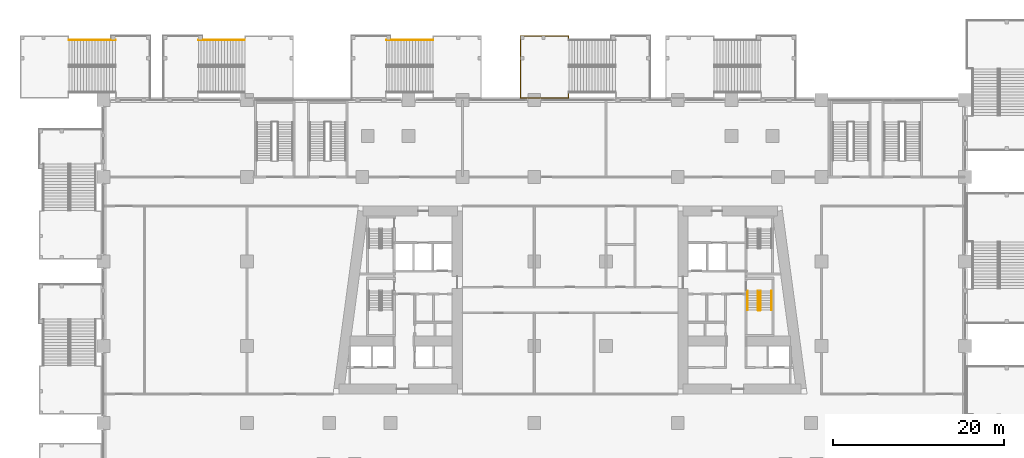
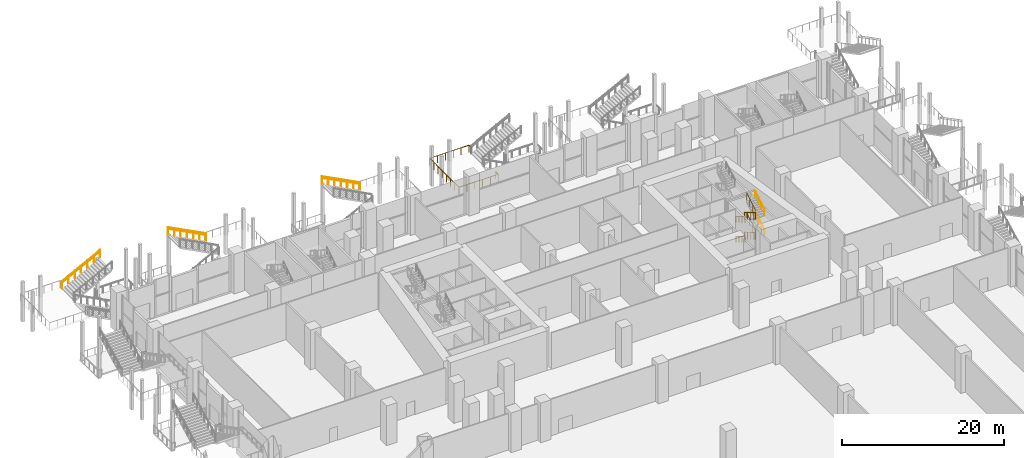
# One storey, part 43 of 49: 13 railings.
"""IFC4 building model written with IfcOpenShell, lengths in metres."""

from ifc_helpers import new_model, si_unit, direction, frame, origin, origin_2d, place, context, subcontext, project, spatial, circle, extrude, material, type_object, element, save


model = new_model("IFC4")

# Units and contexts
model_context = context("Model", 3, precision=1e-05, world=origin(), true_north=direction((0.0, 1.0)))
body_context = subcontext(model_context, "Body", "Model", "MODEL_VIEW")
ifc_project = project(units=[si_unit("LENGTHUNIT", "METRE"), si_unit("AREAUNIT", "SQUARE_METRE"), si_unit("VOLUMEUNIT", "CUBIC_METRE"), si_unit("PLANEANGLEUNIT", "RADIAN"), si_unit("MASSUNIT", "GRAM", prefix="KILO")], contexts=[model_context])

# Site, building, storey
site_placement = place(None, origin())
site = spatial("IfcSite", under=ifc_project, at=site_placement, CompositionType="ELEMENT")
building_placement = place(site_placement, origin())
building = spatial("IfcBuilding", under=site, at=building_placement, Name="Candeia Pilgrim Tower and Theatre", CompositionType="ELEMENT")
storey_placement = place(building_placement, frame((0.0, 0.0, 17.0)))
storey = spatial("IfcBuildingStorey", under=building, at=storey_placement, Name="L02", CompositionType="ELEMENT", Elevation=17.0)

# Railings
ifc_material_1 = material(Name="Stainless steel balustrade", Category="steel")
railing_type_1 = type_object("IfcRailingType", Name="RL-GUARD-1100", PredefinedType="GUARDRAIL", material=ifc_material_1)
railing_1_placement = place(storey_placement, frame((135.39794921875, 122.47509765625, 0.166748046875)))
element("IfcRailing", 1, at=railing_1_placement, inside=storey, type_object=railing_type_1, Name="L02 ST3 stair guard 1", PredefinedType="GUARDRAIL", context=body_context, shape_type="SweptSolid", body=[
    extrude(circle(Radius=0.02392578125, at=origin_2d()), frame((0.0, 0.0, 1.076171875), z_axis=(0.0, -0.859305625298, 0.511462454469), x_axis=(1.0, 0.0, 0.0)), (0.0, 0.0, 1.0), 2.606689453125),
    extrude(circle(Radius=0.02392578125, at=origin_2d()), frame((0.0, -2.239990234375, 2.4091796875), z_axis=(0.707106781187, -0.707106781187, 0.0), x_axis=(0.707106781187, 0.707106781187, 0.0)), (0.0, 0.0, 1.0), 0.07080078125),
    extrude(circle(Radius=0.02392578125, at=origin_2d()), frame((0.050048828125, -2.2900390625, 2.4091796875), z_axis=(1.0, 0.0, 0.0), x_axis=(0.0, 1.0, 0.0)), (0.0, 0.0, 1.0), 0.199951171875),
    extrude(circle(Radius=0.02392578125, at=origin_2d()), frame((0.25, -2.2900390625, 2.4091796875), z_axis=(0.27628659633, 0.27628659633, 0.920506074601), x_axis=(-0.707106781187, 0.707106781187, 0.0)), (0.0, 0.0, 1.0), 0.18115234375),
    extrude(circle(Radius=0.02392578125, at=origin_2d()), frame((0.300048828125, -2.239990234375, 2.576171875), z_axis=(0.0, 0.859305625298, 0.511462454469), x_axis=(-1.0, 0.0, 0.0)), (0.0, 0.0, 1.0), 2.606689453125),
    extrude(circle(Radius=0.02099609375, at=origin_2d()), origin(), (0.0, 0.0, 1.0), 1.052001953125),
    extrude(circle(Radius=0.02099609375, at=origin_2d()), frame((0.0, -0.74658203125, 0.4443359375)), (0.0, 0.0, 1.0), 1.052001953125),
    extrude(circle(Radius=0.02099609375, at=origin_2d()), frame((0.0, -1.493408203125, 0.888916015625)), (0.0, 0.0, 1.0), 1.052001953125),
    extrude(circle(Radius=0.02099609375, at=origin_2d()), frame((0.0, -2.239990234375, 1.333251953125)), (0.0, 0.0, 1.0), 1.052001953125),
    extrude(circle(Radius=0.02099609375, at=origin_2d()), frame((0.050048828125, -2.2900390625, 1.333251953125)), (0.0, 0.0, 1.0), 1.052001953125),
    extrude(circle(Radius=0.02099609375, at=origin_2d()), frame((0.25, -2.2900390625, 1.333251953125)), (0.0, 0.0, 1.0), 1.052001953125),
    extrude(circle(Radius=0.02099609375, at=origin_2d()), frame((0.300048828125, -2.239990234375, 1.5)), (0.0, 0.0, 1.0), 1.052001953125),
    extrude(circle(Radius=0.02099609375, at=origin_2d()), frame((0.300048828125, -1.493408203125, 1.9443359375)), (0.0, 0.0, 1.0), 1.052001953125),
    extrude(circle(Radius=0.02099609375, at=origin_2d()), frame((0.300048828125, -0.74658203125, 2.388916015625)), (0.0, 0.0, 1.0), 1.052001953125),
    extrude(circle(Radius=0.02099609375, at=origin_2d()), frame((0.300048828125, 0.0, 2.833251953125)), (0.0, 0.0, 1.0), 1.052001953125),
])
railing_2_placement = place(storey_placement, frame((135.39794921875, 122.47509765625, 3.166748046875)))
element("IfcRailing", 2, at=railing_2_placement, inside=storey, type_object=railing_type_1, Name="L02 ST3 stair guard 3", PredefinedType="GUARDRAIL", context=body_context, shape_type="SweptSolid", body=[
    extrude(circle(Radius=0.02392578125, at=origin_2d()), frame((0.0, 0.0, 1.076171875), z_axis=(0.0, -0.859305625298, 0.511462454469), x_axis=(1.0, 0.0, 0.0)), (0.0, 0.0, 1.0), 2.606689453125),
    extrude(circle(Radius=0.02392578125, at=origin_2d()), frame((0.0, -2.239990234375, 2.4091796875), z_axis=(0.707106781187, -0.707106781187, 0.0), x_axis=(0.707106781187, 0.707106781187, 0.0)), (0.0, 0.0, 1.0), 0.07080078125),
    extrude(circle(Radius=0.02392578125, at=origin_2d()), frame((0.050048828125, -2.2900390625, 2.4091796875), z_axis=(1.0, 0.0, 0.0), x_axis=(0.0, 1.0, 0.0)), (0.0, 0.0, 1.0), 0.199951171875),
    extrude(circle(Radius=0.02392578125, at=origin_2d()), frame((0.25, -2.2900390625, 2.4091796875), z_axis=(0.27628659633, 0.27628659633, 0.920506074601), x_axis=(-0.707106781187, 0.707106781187, 0.0)), (0.0, 0.0, 1.0), 0.18115234375),
    extrude(circle(Radius=0.02392578125, at=origin_2d()), frame((0.300048828125, -2.239990234375, 2.576171875), z_axis=(0.0, 0.859305625298, 0.511462454469), x_axis=(-1.0, 0.0, 0.0)), (0.0, 0.0, 1.0), 2.606689453125),
    extrude(circle(Radius=0.02099609375, at=origin_2d()), origin(), (0.0, 0.0, 1.0), 1.052001953125),
    extrude(circle(Radius=0.02099609375, at=origin_2d()), frame((0.0, -0.74658203125, 0.4443359375)), (0.0, 0.0, 1.0), 1.052001953125),
    extrude(circle(Radius=0.02099609375, at=origin_2d()), frame((0.0, -1.493408203125, 0.888916015625)), (0.0, 0.0, 1.0), 1.052001953125),
    extrude(circle(Radius=0.02099609375, at=origin_2d()), frame((0.0, -2.239990234375, 1.333251953125)), (0.0, 0.0, 1.0), 1.052001953125),
    extrude(circle(Radius=0.02099609375, at=origin_2d()), frame((0.050048828125, -2.2900390625, 1.333251953125)), (0.0, 0.0, 1.0), 1.052001953125),
    extrude(circle(Radius=0.02099609375, at=origin_2d()), frame((0.25, -2.2900390625, 1.333251953125)), (0.0, 0.0, 1.0), 1.052001953125),
    extrude(circle(Radius=0.02099609375, at=origin_2d()), frame((0.300048828125, -2.239990234375, 1.5)), (0.0, 0.0, 1.0), 1.052001953125),
    extrude(circle(Radius=0.02099609375, at=origin_2d()), frame((0.300048828125, -1.493408203125, 1.9443359375)), (0.0, 0.0, 1.0), 1.052001953125),
    extrude(circle(Radius=0.02099609375, at=origin_2d()), frame((0.300048828125, -0.74658203125, 2.388916015625)), (0.0, 0.0, 1.0), 1.052001953125),
    extrude(circle(Radius=0.02099609375, at=origin_2d()), frame((0.300048828125, 0.0, 2.833251953125)), (0.0, 0.0, 1.0), 1.052001953125),
])
railing_3_placement = place(storey_placement, frame((54.760009765625, 151.85009765625, 3.176513671875)))
element("IfcRailing", 3, at=railing_3_placement, inside=storey, type_object=railing_type_1, Name="L02 ES3 stair guard 4", PredefinedType="GUARDRAIL", context=body_context, shape_type="SweptSolid", body=[
    extrude(circle(Radius=0.02392578125, at=origin_2d()), frame((0.0, 0.0, 1.076171875), z_axis=(0.887569374008, 0.0, 0.460674078198), x_axis=(0.0, 1.0, 0.0)), (0.0, 0.0, 1.0), 6.129150390625),
    extrude(circle(Radius=0.02099609375, at=origin_2d()), origin(), (0.0, 0.0, 1.0), 1.052001953125),
    extrude(circle(Radius=0.02099609375, at=origin_2d()), frame((0.90673828125, 0.0, 0.470703125)), (0.0, 0.0, 1.0), 1.052001953125),
    extrude(circle(Radius=0.02099609375, at=origin_2d()), frame((1.813232421875, 0.0, 0.941162109375)), (0.0, 0.0, 1.0), 1.052001953125),
    extrude(circle(Radius=0.02099609375, at=origin_2d()), frame((2.719970703125, 0.0, 1.41162109375)), (0.0, 0.0, 1.0), 1.052001953125),
    extrude(circle(Radius=0.02099609375, at=origin_2d()), frame((3.626708984375, 0.0, 1.88232421875)), (0.0, 0.0, 1.0), 1.052001953125),
    extrude(circle(Radius=0.02099609375, at=origin_2d()), frame((4.533203125, 0.0, 2.35302734375)), (0.0, 0.0, 1.0), 1.052001953125),
    extrude(circle(Radius=0.02099609375, at=origin_2d()), frame((5.43994140625, 0.0, 2.823486328125)), (0.0, 0.0, 1.0), 1.052001953125),
])
for number, where, name in (
    (4, (75.340087890625, 151.85009765625, 3.176513671875), "L02 ES4 stair guard 4"),
    (5, (97.340087890625, 151.85009765625, 3.176513671875), "L02 ES5 stair guard 4"),
):
    element("IfcRailing", number, at=place(storey_placement, frame(where)), inside=storey, type_object=railing_type_1, Name=name, PredefinedType="GUARDRAIL", context=body_context, shape_type="SweptSolid", body=[
        extrude(circle(Radius=0.02392578125, at=origin_2d()), frame((0.0, 0.0, 1.076171875), z_axis=(-0.887577827043, 0.0, 0.460657791579), x_axis=(0.0, -1.0, 0.0)), (0.0, 0.0, 1.0), 6.129150390625),
        extrude(circle(Radius=0.02099609375, at=origin_2d()), origin(), (0.0, 0.0, 1.0), 1.052001953125),
        extrude(circle(Radius=0.02099609375, at=origin_2d()), frame((-0.90673828125, 0.0, 0.470703125)), (0.0, 0.0, 1.0), 1.052001953125),
        extrude(circle(Radius=0.02099609375, at=origin_2d()), frame((-1.8134765625, 0.0, 0.941162109375)), (0.0, 0.0, 1.0), 1.052001953125),
        extrude(circle(Radius=0.02099609375, at=origin_2d()), frame((-2.72021484375, 0.0, 1.41162109375)), (0.0, 0.0, 1.0), 1.052001953125),
        extrude(circle(Radius=0.02099609375, at=origin_2d()), frame((-3.626708984375, 0.0, 1.88232421875)), (0.0, 0.0, 1.0), 1.052001953125),
        extrude(circle(Radius=0.02099609375, at=origin_2d()), frame((-4.533447265625, 0.0, 2.35302734375)), (0.0, 0.0, 1.0), 1.052001953125),
        extrude(circle(Radius=0.02099609375, at=origin_2d()), frame((-5.440185546875, 0.0, 2.823486328125)), (0.0, 0.0, 1.0), 1.052001953125),
    ])
railing_4_placement = place(storey_placement, frame((113.2099609375, 145.699951171875, 3.0)))
element("IfcRailing", 6, at=railing_4_placement, inside=storey, type_object=railing_type_1, Name="L02 ES6 stair guard 5", PredefinedType="GUARDRAIL", context=body_context, shape_type="SweptSolid", body=[
    extrude(circle(Radius=0.02392578125, at=origin_2d()), frame((0.0, 0.0, 1.076171875), z_axis=(0.0, -1.0, 0.0), x_axis=(1.0, 0.0, 0.0)), (0.0, 0.0, 1.0), 0.64990234375),
    extrude(circle(Radius=0.02392578125, at=origin_2d()), frame((0.0, -0.64990234375, 1.076171875), z_axis=(-1.0, 0.0, 0.0), x_axis=(0.0, -1.0, 0.0)), (0.0, 0.0, 1.0), 5.619873046875),
    extrude(circle(Radius=0.02392578125, at=origin_2d()), frame((-5.619873046875, -0.64990234375, 1.076171875), z_axis=(0.0, 1.0, 0.0), x_axis=(-1.0, 0.0, 0.0)), (0.0, 0.0, 1.0), 7.25),
    extrude(circle(Radius=0.02392578125, at=origin_2d()), frame((-5.619873046875, 6.60009765625, 1.076171875), z_axis=(1.0, 0.0, 0.0), x_axis=(0.0, 1.0, 0.0)), (0.0, 0.0, 1.0), 5.619873046875),
    extrude(circle(Radius=0.02392578125, at=origin_2d()), frame((0.0, 6.60009765625, 1.076171875), z_axis=(0.0, -1.0, 0.0), x_axis=(1.0, 0.0, 0.0)), (0.0, 0.0, 1.0), 0.449951171875),
    extrude(circle(Radius=0.02099609375, at=origin_2d()), origin(), (0.0, 0.0, 1.0), 1.052001953125),
    extrude(circle(Radius=0.02099609375, at=origin_2d()), frame((0.0, -0.64990234375, 0.0)), (0.0, 0.0, 1.0), 1.052001953125),
    extrude(circle(Radius=0.02099609375, at=origin_2d()), frame((-1.1240234375, -0.64990234375, 0.0)), (0.0, 0.0, 1.0), 1.052001953125),
    extrude(circle(Radius=0.02099609375, at=origin_2d()), frame((-2.248046875, -0.64990234375, 0.0)), (0.0, 0.0, 1.0), 1.052001953125),
    extrude(circle(Radius=0.02099609375, at=origin_2d()), frame((-3.371826171875, -0.64990234375, 0.0)), (0.0, 0.0, 1.0), 1.052001953125),
    extrude(circle(Radius=0.02099609375, at=origin_2d()), frame((-4.495849609375, -0.64990234375, 0.0)), (0.0, 0.0, 1.0), 1.052001953125),
    extrude(circle(Radius=0.02099609375, at=origin_2d()), frame((-5.619873046875, -0.64990234375, 0.0)), (0.0, 0.0, 1.0), 1.052001953125),
    extrude(circle(Radius=0.02099609375, at=origin_2d()), frame((-5.619873046875, 0.3857421875, 0.0)), (0.0, 0.0, 1.0), 1.052001953125),
    extrude(circle(Radius=0.02099609375, at=origin_2d()), frame((-5.619873046875, 1.421630859375, 0.0)), (0.0, 0.0, 1.0), 1.052001953125),
    extrude(circle(Radius=0.02099609375, at=origin_2d()), frame((-5.619873046875, 2.457275390625, 0.0)), (0.0, 0.0, 1.0), 1.052001953125),
    extrude(circle(Radius=0.02099609375, at=origin_2d()), frame((-5.619873046875, 3.492919921875, 0.0)), (0.0, 0.0, 1.0), 1.052001953125),
    extrude(circle(Radius=0.02099609375, at=origin_2d()), frame((-5.619873046875, 4.528564453125, 0.0)), (0.0, 0.0, 1.0), 1.052001953125),
    extrude(circle(Radius=0.02099609375, at=origin_2d()), frame((-5.619873046875, 5.564453125, 0.0)), (0.0, 0.0, 1.0), 1.052001953125),
    extrude(circle(Radius=0.02099609375, at=origin_2d()), frame((-5.619873046875, 6.60009765625, 0.0)), (0.0, 0.0, 1.0), 1.052001953125),
    extrude(circle(Radius=0.02099609375, at=origin_2d()), frame((-4.495849609375, 6.60009765625, 0.0)), (0.0, 0.0, 1.0), 1.052001953125),
    extrude(circle(Radius=0.02099609375, at=origin_2d()), frame((-3.371826171875, 6.60009765625, 0.0)), (0.0, 0.0, 1.0), 1.052001953125),
    extrude(circle(Radius=0.02099609375, at=origin_2d()), frame((-2.248046875, 6.60009765625, 0.0)), (0.0, 0.0, 1.0), 1.052001953125),
    extrude(circle(Radius=0.02099609375, at=origin_2d()), frame((-1.1240234375, 6.60009765625, 0.0)), (0.0, 0.0, 1.0), 1.052001953125),
    extrude(circle(Radius=0.02099609375, at=origin_2d()), frame((0.0, 6.60009765625, 0.0)), (0.0, 0.0, 1.0), 1.052001953125),
    extrude(circle(Radius=0.02099609375, at=origin_2d()), frame((0.0, 6.150146484375, 0.0)), (0.0, 0.0, 1.0), 1.052001953125),
])
ifc_material_2 = material(Name="Stainless steel handrail", Category="steel")
railing_type_2 = type_object("IfcRailingType", Name="RL-HANDRAIL-900", PredefinedType="HANDRAIL", material=ifc_material_2)
railing_5_placement = place(storey_placement, frame((134.14794921875, 122.47509765625, 0.166748046875)))
element("IfcRailing", 7, at=railing_5_placement, inside=storey, type_object=railing_type_2, Name="L02 ST3 stair handrail 1", PredefinedType="HANDRAIL", context=body_context, shape_type="SweptSolid", body=[
    extrude(circle(Radius=0.02392578125, at=origin_2d()), frame((0.0, 0.0, 0.8759765625), z_axis=(0.0, -0.859305625298, 0.511462454469), x_axis=(1.0, 0.0, 0.0)), (0.0, 0.0, 1.0), 2.606689453125),
    extrude(circle(Radius=0.02099609375, at=origin_2d()), origin(), (0.0, 0.0, 1.0), 0.851806640625),
    extrude(circle(Radius=0.02099609375, at=origin_2d()), frame((0.0, -0.74658203125, 0.4443359375)), (0.0, 0.0, 1.0), 0.851806640625),
    extrude(circle(Radius=0.02099609375, at=origin_2d()), frame((0.0, -1.493408203125, 0.888916015625)), (0.0, 0.0, 1.0), 0.851806640625),
    extrude(circle(Radius=0.02099609375, at=origin_2d()), frame((0.0, -2.239990234375, 1.333251953125)), (0.0, 0.0, 1.0), 0.851806640625),
])
railing_6_placement = place(storey_placement, frame((136.947998046875, 120.235107421875, 1.666748046875)))
element("IfcRailing", 8, at=railing_6_placement, inside=storey, type_object=railing_type_2, Name="L02 ST3 stair handrail 2", PredefinedType="HANDRAIL", context=body_context, shape_type="SweptSolid", body=[
    extrude(circle(Radius=0.02392578125, at=origin_2d()), frame((0.0, 0.0, 0.8759765625), z_axis=(0.0, 0.859305625298, 0.511462454469), x_axis=(-1.0, 0.0, 0.0)), (0.0, 0.0, 1.0), 2.606689453125),
    extrude(circle(Radius=0.02099609375, at=origin_2d()), origin(), (0.0, 0.0, 1.0), 0.851806640625),
    extrude(circle(Radius=0.02099609375, at=origin_2d()), frame((0.0, 0.74658203125, 0.4443359375)), (0.0, 0.0, 1.0), 0.851806640625),
    extrude(circle(Radius=0.02099609375, at=origin_2d()), frame((0.0, 1.493408203125, 0.888916015625)), (0.0, 0.0, 1.0), 0.851806640625),
    extrude(circle(Radius=0.02099609375, at=origin_2d()), frame((0.0, 2.239990234375, 1.333251953125)), (0.0, 0.0, 1.0), 0.851806640625),
])
railing_7_placement = place(storey_placement, frame((134.14794921875, 122.47509765625, 3.166748046875)))
element("IfcRailing", 9, at=railing_7_placement, inside=storey, type_object=railing_type_2, Name="L02 ST3 stair handrail 3", PredefinedType="HANDRAIL", context=body_context, shape_type="SweptSolid", body=[
    extrude(circle(Radius=0.02392578125, at=origin_2d()), frame((0.0, 0.0, 0.8759765625), z_axis=(0.0, -0.859305625298, 0.511462454469), x_axis=(1.0, 0.0, 0.0)), (0.0, 0.0, 1.0), 2.606689453125),
    extrude(circle(Radius=0.02099609375, at=origin_2d()), origin(), (0.0, 0.0, 1.0), 0.851806640625),
    extrude(circle(Radius=0.02099609375, at=origin_2d()), frame((0.0, -0.74658203125, 0.4443359375)), (0.0, 0.0, 1.0), 0.851806640625),
    extrude(circle(Radius=0.02099609375, at=origin_2d()), frame((0.0, -1.493408203125, 0.888916015625)), (0.0, 0.0, 1.0), 0.851806640625),
    extrude(circle(Radius=0.02099609375, at=origin_2d()), frame((0.0, -2.239990234375, 1.333251953125)), (0.0, 0.0, 1.0), 0.851806640625),
])
railing_8_placement = place(storey_placement, frame((136.947998046875, 120.235107421875, 4.666748046875)))
element("IfcRailing", 10, at=railing_8_placement, inside=storey, type_object=railing_type_2, Name="L02 ST3 stair handrail 4", PredefinedType="HANDRAIL", context=body_context, shape_type="SweptSolid", body=[
    extrude(circle(Radius=0.02392578125, at=origin_2d()), frame((0.0, 0.0, 0.8759765625), z_axis=(0.0, 0.859305625298, 0.511462454469), x_axis=(-1.0, 0.0, 0.0)), (0.0, 0.0, 1.0), 2.606689453125),
    extrude(circle(Radius=0.02099609375, at=origin_2d()), origin(), (0.0, 0.0, 1.0), 0.851806640625),
    extrude(circle(Radius=0.02099609375, at=origin_2d()), frame((0.0, 0.74658203125, 0.4443359375)), (0.0, 0.0, 1.0), 0.851806640625),
    extrude(circle(Radius=0.02099609375, at=origin_2d()), frame((0.0, 1.493408203125, 0.888916015625)), (0.0, 0.0, 1.0), 0.851806640625),
    extrude(circle(Radius=0.02099609375, at=origin_2d()), frame((0.0, 2.239990234375, 1.333251953125)), (0.0, 0.0, 1.0), 0.851806640625),
])
railing_9_placement = place(storey_placement, frame((54.760009765625, 151.800048828125, 3.176513671875)))
element("IfcRailing", 11, at=railing_9_placement, inside=storey, type_object=railing_type_2, Name="L02 ES3 stair handrail 2", PredefinedType="HANDRAIL", context=body_context, shape_type="SweptSolid", body=[
    extrude(circle(Radius=0.02392578125, at=origin_2d()), frame((0.0, 0.0, 0.8759765625), z_axis=(0.887569374008, 0.0, 0.460674078198), x_axis=(0.0, 1.0, 0.0)), (0.0, 0.0, 1.0), 6.129150390625),
    extrude(circle(Radius=0.02099609375, at=origin_2d()), origin(), (0.0, 0.0, 1.0), 0.851806640625),
    extrude(circle(Radius=0.02099609375, at=origin_2d()), frame((0.90673828125, 0.0, 0.470703125)), (0.0, 0.0, 1.0), 0.851806640625),
    extrude(circle(Radius=0.02099609375, at=origin_2d()), frame((1.813232421875, 0.0, 0.941162109375)), (0.0, 0.0, 1.0), 0.851806640625),
    extrude(circle(Radius=0.02099609375, at=origin_2d()), frame((2.719970703125, 0.0, 1.41162109375)), (0.0, 0.0, 1.0), 0.851806640625),
    extrude(circle(Radius=0.02099609375, at=origin_2d()), frame((3.626708984375, 0.0, 1.88232421875)), (0.0, 0.0, 1.0), 0.851806640625),
    extrude(circle(Radius=0.02099609375, at=origin_2d()), frame((4.533203125, 0.0, 2.35302734375)), (0.0, 0.0, 1.0), 0.851806640625),
    extrude(circle(Radius=0.02099609375, at=origin_2d()), frame((5.43994140625, 0.0, 2.823486328125)), (0.0, 0.0, 1.0), 0.851806640625),
])
for number, where, name in (
    (12, (75.340087890625, 151.800048828125, 3.176513671875), "L02 ES4 stair handrail 2"),
    (13, (97.340087890625, 151.800048828125, 3.176513671875), "L02 ES5 stair handrail 2"),
):
    element("IfcRailing", number, at=place(storey_placement, frame(where)), inside=storey, type_object=railing_type_2, Name=name, PredefinedType="HANDRAIL", context=body_context, shape_type="SweptSolid", body=[
        extrude(circle(Radius=0.02392578125, at=origin_2d()), frame((0.0, 0.0, 0.8759765625), z_axis=(-0.887577827043, 0.0, 0.460657791579), x_axis=(0.0, -1.0, 0.0)), (0.0, 0.0, 1.0), 6.129150390625),
        extrude(circle(Radius=0.02099609375, at=origin_2d()), origin(), (0.0, 0.0, 1.0), 0.851806640625),
        extrude(circle(Radius=0.02099609375, at=origin_2d()), frame((-0.90673828125, 0.0, 0.470703125)), (0.0, 0.0, 1.0), 0.851806640625),
        extrude(circle(Radius=0.02099609375, at=origin_2d()), frame((-1.8134765625, 0.0, 0.941162109375)), (0.0, 0.0, 1.0), 0.851806640625),
        extrude(circle(Radius=0.02099609375, at=origin_2d()), frame((-2.72021484375, 0.0, 1.41162109375)), (0.0, 0.0, 1.0), 0.851806640625),
        extrude(circle(Radius=0.02099609375, at=origin_2d()), frame((-3.626708984375, 0.0, 1.88232421875)), (0.0, 0.0, 1.0), 0.851806640625),
        extrude(circle(Radius=0.02099609375, at=origin_2d()), frame((-4.533447265625, 0.0, 2.35302734375)), (0.0, 0.0, 1.0), 0.851806640625),
        extrude(circle(Radius=0.02099609375, at=origin_2d()), frame((-5.440185546875, 0.0, 2.823486328125)), (0.0, 0.0, 1.0), 0.851806640625),
    ])

save(model, "model.ifc")
